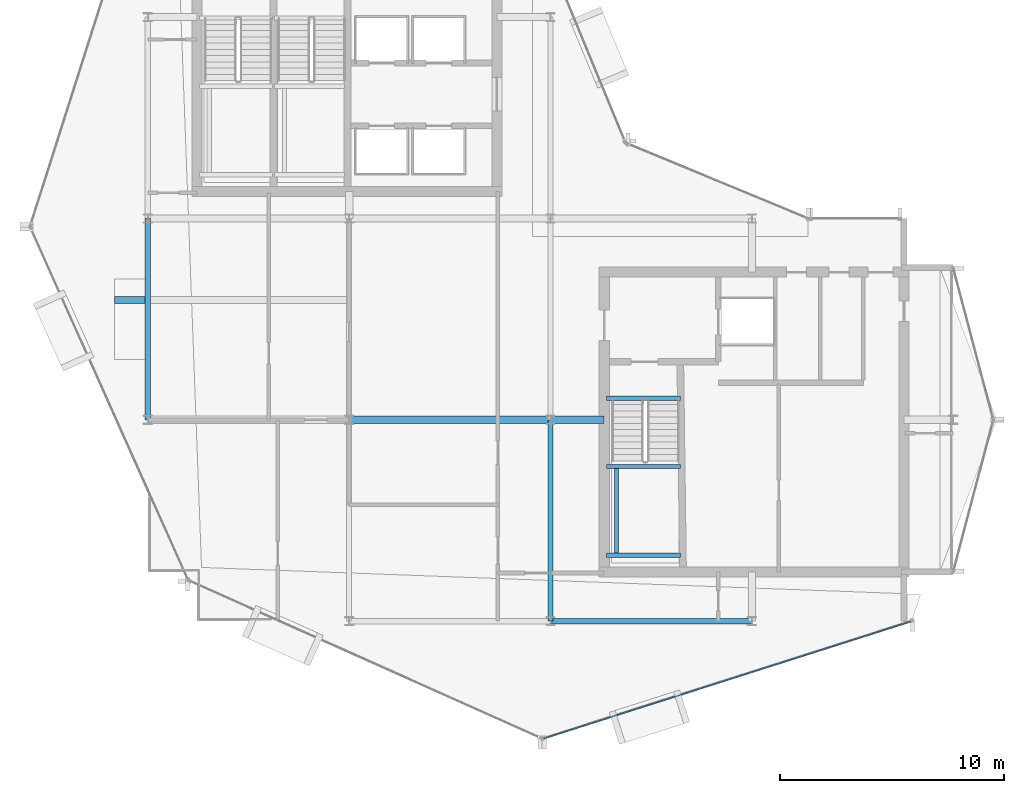
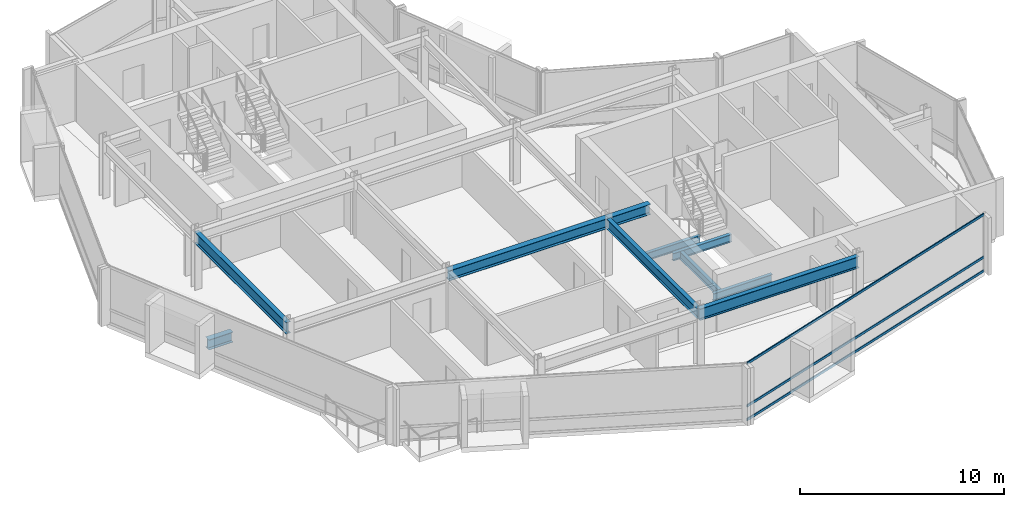
# One storey, part 5 of 19: 10 beams, 3 members, 1 element without a shape of its own.
"""IFC4 building model written with IfcOpenShell, lengths in metres."""

import ifcopenshell
import ifcopenshell.guid

model = None  # the IFC model being written
_history = None  # IfcOwnerHistory: only IFC2X3 demands one
_inside = {}  # id of a spatial element -> (the spatial element, [elements in it])
_under = {}  # id of a project, library or spatial element -> (it, [spatial elements below it])
_declared = {}  # id of a project -> (the project, [libraries it declares])
_typed = {}  # id of a type object -> (the type object, [elements of that type])
_made_of = {}  # id of a material, layer set ... -> (it, [elements and type objects made of it])


def new_model(schema):
    """Start an empty IFC model of exactly this schema.

    Asked for "IFC4X3", IfcOpenShell would pick the latest addendum, in which some entities
    have other attributes; the version numbers below select the first issue.
    IFC2X3 requires an IfcOwnerHistory on every rooted entity: one is made here for all.
    """
    global model, _history
    if schema == "IFC4X3":
        model = ifcopenshell.file(schema_version=(4, 3, 0, 0))
    else:
        model = ifcopenshell.file(schema=schema)
    _inside.clear()
    _under.clear()
    _declared.clear()
    _typed.clear()
    _made_of.clear()
    _history = None
    if model.schema == "IFC2X3":
        org = make("IfcOrganization", Name="unknown")
        user = make(
            "IfcPersonAndOrganization",
            ThePerson=make("IfcPerson", FamilyName="unknown"),
            TheOrganization=org,
        )
        app = make(
            "IfcApplication",
            ApplicationDeveloper=org,
            Version="unknown",
            ApplicationFullName="unknown",
            ApplicationIdentifier="unknown",
        )
        _history = make(
            "IfcOwnerHistory",
            OwningUser=user,
            OwningApplication=app,
            ChangeAction="ADDED",
            CreationDate=0,
        )
    return model


def make(cls, **values):
    """One entity of the class cls with the attributes given. An attribute that is None is left unset."""
    return model.create_entity(
        cls, **{name: value for name, value in values.items() if value is not None}
    )


def rooted(cls, **values):
    """An entity with a GlobalId (a new one), such as an element, a storey or a relation."""
    return make(cls, GlobalId=ifcopenshell.guid.new(), OwnerHistory=_history, **values)


def si_unit(unit_type, name, prefix=None):
    """IfcSIUnit, for example si_unit("LENGTHUNIT", "METRE", prefix="MILLI")."""
    return make("IfcSIUnit", UnitType=unit_type, Prefix=prefix, Name=name)


def assignment(units):
    """IfcUnitAssignment: the units of a project."""
    return None if units is None else make("IfcUnitAssignment", Units=units)


def point(xyz):
    """IfcCartesianPoint."""
    return None if xyz is None else make("IfcCartesianPoint", Coordinates=xyz)


def direction(xyz):
    """IfcDirection."""
    return None if xyz is None else make("IfcDirection", DirectionRatios=xyz)


def frame(location, z_axis=None, x_axis=None):
    """IfcAxis2Placement3D, a coordinate frame: its origin and axes. An axis left out is left unset."""
    return make(
        "IfcAxis2Placement3D",
        Location=point(location),
        Axis=direction(z_axis),
        RefDirection=direction(x_axis),
    )


def frame_2d(location, x_axis=None):
    """IfcAxis2Placement2D, a coordinate frame in the plane: its origin and x axis."""
    return make(
        "IfcAxis2Placement2D", Location=point(location), RefDirection=direction(x_axis)
    )


def origin():
    """The frame at (0, 0, 0) with its axes left unset."""
    return frame((0.0, 0.0, 0.0))


def origin_2d():
    """The frame at (0, 0) in the plane with its x axis left unset."""
    return frame_2d((0.0, 0.0))


def place(relative_to, where):
    """IfcLocalPlacement: puts the frame where relative to a parent placement (None: the world)."""
    return make(
        "IfcLocalPlacement", PlacementRelTo=relative_to, RelativePlacement=where
    )


def context(
    kind, dimensions, precision=None, world=None, true_north=None, identifier=None
):
    """IfcGeometricRepresentationContext, for example the 3D "Model" context."""
    return make(
        "IfcGeometricRepresentationContext",
        ContextIdentifier=identifier,
        ContextType=kind,
        CoordinateSpaceDimension=dimensions,
        Precision=precision,
        WorldCoordinateSystem=world,
        TrueNorth=true_north,
    )


def subcontext(parent, identifier, kind, view, scale=None):
    """IfcGeometricRepresentationSubContext, for example "Body" below "Model"."""
    return make(
        "IfcGeometricRepresentationSubContext",
        ContextIdentifier=identifier,
        ContextType=kind,
        ParentContext=parent,
        TargetScale=scale,
        TargetView=view,
    )


def project(units=None, contexts=None):
    """IfcProject with its units and contexts."""
    return rooted(
        "IfcProject",
        Name="project",
        RepresentationContexts=contexts,
        UnitsInContext=assignment(units),
    )


def spatial(cls, under=None, at=None, **own):
    """A site, building, storey or space (cls), placed at a placement, below another one or the project."""
    s = rooted(cls, ObjectPlacement=at, **own)
    if under is not None:
        _under.setdefault(under.id(), (under, []))[1].append(s)
    return s


def profile(cls, at=None, kind="AREA", **sizes):
    """A parametric profile (cls). Its sizes go by their IFC names, for example OverallWidth=200.0."""
    return make(cls, ProfileType=kind, Position=at, **sizes)


def hollow_rectangle(**sizes):
    """IfcRectangleHollowProfileDef."""
    return profile("IfcRectangleHollowProfileDef", **sizes)


def i_section(**sizes):
    """IfcIShapeProfileDef."""
    return profile("IfcIShapeProfileDef", **sizes)


def extrude(swept, where, along, depth):
    """IfcExtrudedAreaSolid: the profile swept, set in the frame where, extruded along a direction by depth."""
    return make(
        "IfcExtrudedAreaSolid",
        SweptArea=swept,
        Position=where,
        ExtrudedDirection=direction(along),
        Depth=depth,
    )


def shape(context_of_items, identifier, shape_type, items):
    """IfcShapeRepresentation: the items that make up one representation, for example the "Body"."""
    return make(
        "IfcShapeRepresentation",
        ContextOfItems=context_of_items,
        RepresentationIdentifier=identifier,
        RepresentationType=shape_type,
        Items=items,
    )


def material(Name=None, Category=None):
    """IfcMaterial."""
    return make("IfcMaterial", Name=Name, Category=Category)


def layer(
    of_material, thickness, ventilated=None, Name=None, Category=None, Priority=None
):
    """IfcMaterialLayer: one layer of a wall or slab, of a material (None: an air gap)."""
    return make(
        "IfcMaterialLayer",
        Material=of_material,
        LayerThickness=thickness,
        IsVentilated=ventilated,
        Name=Name,
        Category=Category,
        Priority=Priority,
    )


def layer_set(layers, Name=None):
    """IfcMaterialLayerSet."""
    return make("IfcMaterialLayerSet", MaterialLayers=layers, LayerSetName=Name)


def material_profile(
    of_material, cross_section, Name=None, Category=None, Priority=None
):
    """IfcMaterialProfile: a cross section and its material."""
    return make(
        "IfcMaterialProfile",
        Name=Name,
        Material=of_material,
        Profile=cross_section,
        Priority=Priority,
        Category=Category,
    )


def profile_set(profiles, Name=None, composite=None):
    """IfcMaterialProfileSet."""
    return make(
        "IfcMaterialProfileSet",
        Name=Name,
        MaterialProfiles=profiles,
        CompositeProfile=composite,
    )


def made_of(thing, what):
    """Note that an element or type object is made of a material, layer set ...; save() writes the relation."""
    if what is not None:
        _made_of.setdefault(what.id(), (what, []))[1].append(thing)
    return thing


def type_object(cls, material=None, **own):
    """A type object (cls), such as IfcWallType, which elements share."""
    return made_of(rooted(cls, **own), material)


def element(
    cls,
    number,
    at=None,
    inside=None,
    cuts=None,
    type_object=None,
    material=None,
    context=None,
    identifier="Body",
    shape_type=None,
    held_by="IfcProductDefinitionShape",
    body=None,
    shapes=None,
    **own,
):
    """One element of the class cls, such as IfcWall. Its Tag is "e" and its number.

    at: its placement. inside: the storey or other place that contains it. cuts: it is an
    opening in that element (IfcRelVoidsElement). A single representation is given by context,
    identifier, shape_type and body (its items); several are given by shapes. held_by: the class
    of the entity that holds the representations. save() writes the other relations.
    """
    e = rooted(cls, Tag="e%d" % number, ObjectPlacement=at, **own)
    if body is not None:
        shapes = [shape(context, identifier, shape_type, body)]
    if shapes is not None:
        e.Representation = make(held_by, Representations=shapes)
    if inside is not None:
        _inside.setdefault(inside.id(), (inside, []))[1].append(e)
    if cuts is not None:
        rooted(
            "IfcRelVoidsElement", RelatingBuildingElement=cuts, RelatedOpeningElement=e
        )
    if type_object is not None:
        _typed.setdefault(type_object.id(), (type_object, []))[1].append(e)
    return made_of(e, material)


def aggregate(whole, parts):
    """IfcRelAggregates: a whole, such as a stair, and the parts it consists of."""
    return rooted("IfcRelAggregates", RelatingObject=whole, RelatedObjects=parts)


def save(model, path):
    """Write the relations noted so far, then the file.

    IfcRelAggregates (storeys below a building ...), IfcRelContainedInSpatialStructure (elements
    in a storey), IfcRelDefinesByType, IfcRelAssociatesMaterial and IfcRelDeclares: one each for
    every whole, place, type object, material and project.
    """
    for whole, parts in _under.values():
        aggregate(whole, parts)
    for where, things in _inside.values():
        rooted(
            "IfcRelContainedInSpatialStructure",
            RelatedElements=things,
            RelatingStructure=where,
        )
    for kind, things in _typed.values():
        rooted("IfcRelDefinesByType", RelatedObjects=things, RelatingType=kind)
    for what, things in _made_of.values():
        rooted("IfcRelAssociatesMaterial", RelatedObjects=things, RelatingMaterial=what)
    for by, libraries in _declared.values():
        rooted("IfcRelDeclares", RelatingContext=by, RelatedDefinitions=libraries)
    model.write(path)


model = new_model("IFC4")

# Units and contexts
model_context = context("Model", 3, precision=1e-05, world=origin(), true_north=direction((0.0, 1.0)))
body_context = subcontext(model_context, "Body", "Model", "MODEL_VIEW")
ifc_project = project(units=[si_unit("LENGTHUNIT", "METRE"), si_unit("AREAUNIT", "SQUARE_METRE"), si_unit("VOLUMEUNIT", "CUBIC_METRE"), si_unit("PLANEANGLEUNIT", "RADIAN"), si_unit("MASSUNIT", "GRAM", prefix="KILO")], contexts=[model_context])

# Site, building, storey
site_placement = place(None, origin())
site = spatial("IfcSite", under=ifc_project, at=site_placement, CompositionType="ELEMENT")
building_placement = place(site_placement, origin())
building = spatial("IfcBuilding", under=site, at=building_placement, Name="Solvaryn Broadcast Tower", CompositionType="ELEMENT")
storey_placement = place(building_placement, frame((0.0, 0.0, 248.199951171875)))
storey = spatial("IfcBuildingStorey", under=building, at=storey_placement, Name="L62", CompositionType="ELEMENT", Elevation=248.199951171875)

# Beams
ifc_material_1 = material(Name="Steel ASTM A992 Grade 50", Category="steel")
ifc_material_profile_1 = material_profile(ifc_material_1, i_section(OverallWidth=0.323974609375, OverallDepth=0.611083984375, WebThickness=0.0126953125, FlangeThickness=0.01904296875, FilletRadius=0.014892578125, at=origin_2d()))
ifc_profile_set_1 = profile_set([ifc_material_profile_1], Name="Steel ASTM A992 Grade 50")
beam_type_1 = type_object("IfcBeamType", Name="BM-B1-W24X104", PredefinedType="BEAM", material=ifc_profile_set_1)
beam_1_placement = place(storey_placement, frame((18.0, 18.0, 3.114501953125), z_axis=(1.0, 0.0, 0.0), x_axis=(0.0, 1.0, 0.0)))
element("IfcBeam", 1, at=beam_1_placement, inside=storey, type_object=beam_type_1, Name="L62 Primary Beam X (18-27 @ Y=18)", PredefinedType="BEAM", context=body_context, shape_type="SweptSolid", body=[
    extrude(i_section(OverallWidth=0.323974609375, OverallDepth=0.611083984375, WebThickness=0.0126953125, FlangeThickness=0.01904296875, FilletRadius=0.014892578125, at=origin_2d()), origin(), (0.0, 0.0, 1.0), 9.0),
])
beam_2_placement = place(storey_placement, frame((27.0, 18.0, 3.114501953125), z_axis=(1.0, 0.0, 0.0), x_axis=(0.0, 1.0, 0.0)))
element("IfcBeam", 2, at=beam_2_placement, inside=storey, type_object=beam_type_1, Name="L62 Core Tie Beam CTE4", PredefinedType="BEAM", context=body_context, shape_type="SweptSolid", body=[
    extrude(i_section(OverallWidth=0.323974609375, OverallDepth=0.611083984375, WebThickness=0.0126953125, FlangeThickness=0.01904296875, FilletRadius=0.014892578125, at=origin_2d()), origin(), (0.0, 0.0, 1.0), 2.39990234375),
])
ifc_material_2 = material(Name="Steel ASTM A992 Grade 50", Category="steel")
ifc_material_profile_2 = material_profile(ifc_material_2, i_section(OverallWidth=0.22802734375, OverallDepth=0.60791015625, WebThickness=0.01123046875, FlangeThickness=0.017333984375, FilletRadius=0.014892578125, at=origin_2d()))
ifc_profile_set_2 = profile_set([ifc_material_profile_2], Name="Steel ASTM A992 Grade 50")
beam_type_2 = type_object("IfcBeamType", Name="BM-B2-W24X76", PredefinedType="BEAM", material=ifc_profile_set_2)
beam_3_placement = place(storey_placement, frame((27.0, 9.0, 3.115966796875), z_axis=(0.0, 1.0, 0.0), x_axis=(-1.0, 0.0, 0.0)))
element("IfcBeam", 3, at=beam_3_placement, inside=storey, type_object=beam_type_2, Name="L62 Primary Beam Y (9-18 @ X=27)", PredefinedType="BEAM", context=body_context, shape_type="SweptSolid", body=[
    extrude(i_section(OverallWidth=0.22802734375, OverallDepth=0.60791015625, WebThickness=0.01123046875, FlangeThickness=0.017333984375, FilletRadius=0.014892578125, at=origin_2d()), origin(), (0.0, 0.0, 1.0), 9.0),
])
ifc_material_3 = material(Name="Steel ASTM A992 Grade 50", Category="steel")
ifc_material_profile_3 = material_profile(ifc_material_3, i_section(OverallWidth=0.18994140625, OverallDepth=0.45703125, WebThickness=0.009033203125, FlangeThickness=0.014404296875, FilletRadius=0.011962890625, at=origin_2d()))
ifc_profile_set_3 = profile_set([ifc_material_profile_3], Name="Steel ASTM A992 Grade 50")
beam_type_3 = type_object("IfcBeamType", Name="BM-B4-W18X50", PredefinedType="BEAM", material=ifc_profile_set_3)
for number, where, z_axis, x_axis, name in (
    (4, (29.5, 18.9599609375, -0.508544921875), (1.0, 0.0, 0.0), (0.0, 1.0, 0.0), "L62 ST3 Stair Well Trimmer Beam"),
    (5, (29.5, 11.949951171875, 1.421630859375), (1.0, 0.0, 0.0), (0.0, 1.0, 0.0), "L62 ST3 Landing Support Beam 1A"),
    (6, (29.5, 15.909912109375, 1.421630859375), (1.0, 0.0, 0.0), (0.0, 1.0, 0.0), "L62 ST3 Landing Support Beam 1B"),
):
    element("IfcBeam", number, at=place(storey_placement, frame(where, z_axis=z_axis, x_axis=x_axis)), inside=storey, type_object=beam_type_3, Name=name, PredefinedType="BEAM", context=body_context, shape_type="SweptSolid", body=[
        extrude(i_section(OverallWidth=0.18994140625, OverallDepth=0.45703125, WebThickness=0.009033203125, FlangeThickness=0.014404296875, FilletRadius=0.011962890625, at=origin_2d()), origin(), (0.0, 0.0, 1.0), 3.320068359375),
    ])
beam_4_placement = place(storey_placement, frame((29.949951171875, 11.949951171875, 1.421630859375), z_axis=(0.0, 1.0, 0.0), x_axis=(-1.0, 0.0, 0.0)))
element("IfcBeam", 7, at=beam_4_placement, inside=storey, type_object=beam_type_3, Name="L62 ST3 Landing Cross Stringer 1C", PredefinedType="BEAM", context=body_context, shape_type="SweptSolid", body=[
    extrude(i_section(OverallWidth=0.18994140625, OverallDepth=0.45703125, WebThickness=0.009033203125, FlangeThickness=0.014404296875, FilletRadius=0.011962890625, at=origin_2d()), origin(), (0.0, 0.0, 1.0), 3.9599609375),
])
ifc_material_4 = material(Name="Steel ASTM A992 Grade 50", Category="steel")
ifc_material_profile_4 = material_profile(ifc_material_4, i_section(OverallWidth=0.323974609375, OverallDepth=0.611083984375, WebThickness=0.0126953125, FlangeThickness=0.01904296875, FilletRadius=0.014892578125, at=origin_2d()))
ifc_profile_set_4 = profile_set([ifc_material_profile_4], Name="Steel ASTM A992 Grade 50")
beam_type_4 = type_object("IfcBeamType", Name="BM-CANT-TER", PredefinedType="BEAM", material=ifc_profile_set_4)
beam_5_placement = place(storey_placement, frame((8.875, 23.35009765625, -0.58544921875), z_axis=(-1.0, 0.0, 0.0), x_axis=(0.0, -1.0, 0.0)))
element("IfcBeam", 8, at=beam_5_placement, inside=storey, type_object=beam_type_4, Name="L62 Bay-Box Cantilever Bracket 1", PredefinedType="BEAM", context=body_context, shape_type="SweptSolid", body=[
    extrude(i_section(OverallWidth=0.323974609375, OverallDepth=0.611083984375, WebThickness=0.0126953125, FlangeThickness=0.01904296875, FilletRadius=0.014892578125, at=origin_2d()), origin(), (0.0, 0.0, 1.0), 1.375),
])
ifc_material_5 = material(Name="Steel ASTM A992 Grade 50", Category="steel")
ifc_material_profile_5 = material_profile(ifc_material_5, i_section(OverallWidth=0.256103515625, OverallDepth=0.693115234375, WebThickness=0.014404296875, FlangeThickness=0.023681640625, FilletRadius=0.01611328125, at=origin_2d()))
ifc_profile_set_5 = profile_set([ifc_material_profile_5], Name="Steel ASTM A992 Grade 50")
beam_type_5 = type_object("IfcBeamType", Name="BM-SP3-W27X114", PredefinedType="USERDEFINED", material=ifc_profile_set_5)
for number, where, z_axis, x_axis, name in (
    (9, (27.0, 9.0, 3.073486328125), (1.0, 0.0, 0.0), (0.0, 1.0, 0.0), "L62 Spandrel Beam X (27-36 @ Y=9)"),
    (10, (9.0, 18.0, 3.073486328125), (0.0, 1.0, 0.0), (-1.0, 0.0, 0.0), "L62 Spandrel Beam Y (18-27 @ X=9)"),
):
    element("IfcBeam", number, at=place(storey_placement, frame(where, z_axis=z_axis, x_axis=x_axis)), inside=storey, type_object=beam_type_5, Name=name, ObjectType="SPANDREL", PredefinedType="USERDEFINED", context=body_context, shape_type="SweptSolid", body=[
        extrude(i_section(OverallWidth=0.256103515625, OverallDepth=0.693115234375, WebThickness=0.014404296875, FlangeThickness=0.023681640625, FilletRadius=0.01611328125, at=origin_2d()), origin(), (0.0, 0.0, 1.0), 9.0),
    ])

# Curtain wall, members
ifc_material_6 = material(Name="Aluminium and Terracotta Unitised Curtain Wall", Category="masonry")
ifc_layer = layer(ifc_material_6, 0.199951171875)
ifc_layer_set = layer_set([ifc_layer], Name="CW-SYS2-LOWMID")
curtain_wall_type = type_object("IfcCurtainWallType", Name="CW-SYS2-LOWMID", PredefinedType="NOTDEFINED", material=ifc_layer_set)
curtain_wall_placement = place(storey_placement, origin())
curtain_wall = element("IfcCurtainWall", 11, at=curtain_wall_placement, inside=storey, type_object=curtain_wall_type, Name="L62 Curtain Wall DR4", PredefinedType="NOTDEFINED")
ifc_material_7 = material(Name="Anodised Aluminium 6063-T6", Category="aluminium")
ifc_material_profile_6 = material_profile(ifc_material_7, hollow_rectangle(XDim=0.06494140625, YDim=0.14990234375, WallThickness=0.00390625, InnerFilletRadius=0.00390625, OuterFilletRadius=0.008056640625, at=origin_2d()))
ifc_profile_set_6 = profile_set([ifc_material_profile_6], Name="Anodised Aluminium 6063-T6")
member_type = type_object("IfcMemberType", Name="CW-TRN-150", PredefinedType="USERDEFINED", material=ifc_profile_set_6)
member_1_placement = place(storey_placement, frame((26.693115234375, 3.756103515625, 0.030029296875), z_axis=(0.952794352661, 0.303616405252, 0.0), x_axis=(-0.303616405252, 0.952794352661, 0.0)))
member_1 = element("IfcMember", 12, at=member_1_placement, type_object=member_type, Name="CWS2 transom 1.1", ObjectType="TRANSOM", PredefinedType="USERDEFINED", context=body_context, shape_type="SweptSolid", body=[
    extrude(hollow_rectangle(XDim=0.06494140625, YDim=0.14990234375, WallThickness=0.00390625, InnerFilletRadius=0.00390625, OuterFilletRadius=0.008056640625, at=origin_2d()), origin(), (0.0, 0.0, 1.0), 17.211181640625),
])
member_2_placement = place(storey_placement, frame((26.693115234375, 3.756103515625, 0.85009765625), z_axis=(0.952794352661, 0.303616405252, 0.0), x_axis=(-0.303616405252, 0.952794352661, 0.0)))
member_2 = element("IfcMember", 13, at=member_2_placement, type_object=member_type, Name="CWS2 transom 1.2", ObjectType="TRANSOM", PredefinedType="USERDEFINED", context=body_context, shape_type="SweptSolid", body=[
    extrude(hollow_rectangle(XDim=0.06494140625, YDim=0.14990234375, WallThickness=0.00390625, InnerFilletRadius=0.00390625, OuterFilletRadius=0.008056640625, at=origin_2d()), origin(), (0.0, 0.0, 1.0), 17.211181640625),
])
member_3_placement = place(storey_placement, frame((26.693115234375, 3.756103515625, 3.39013671875), z_axis=(0.952794352661, 0.303616405252, 0.0), x_axis=(-0.303616405252, 0.952794352661, 0.0)))
member_3 = element("IfcMember", 14, at=member_3_placement, type_object=member_type, Name="CWS2 transom 1.3", ObjectType="TRANSOM", PredefinedType="USERDEFINED", context=body_context, shape_type="SweptSolid", body=[
    extrude(hollow_rectangle(XDim=0.06494140625, YDim=0.14990234375, WallThickness=0.00390625, InnerFilletRadius=0.00390625, OuterFilletRadius=0.008056640625, at=origin_2d()), origin(), (0.0, 0.0, 1.0), 17.211181640625),
])
aggregate(curtain_wall, [member_1, member_2, member_3])

save(model, "model.ifc")
